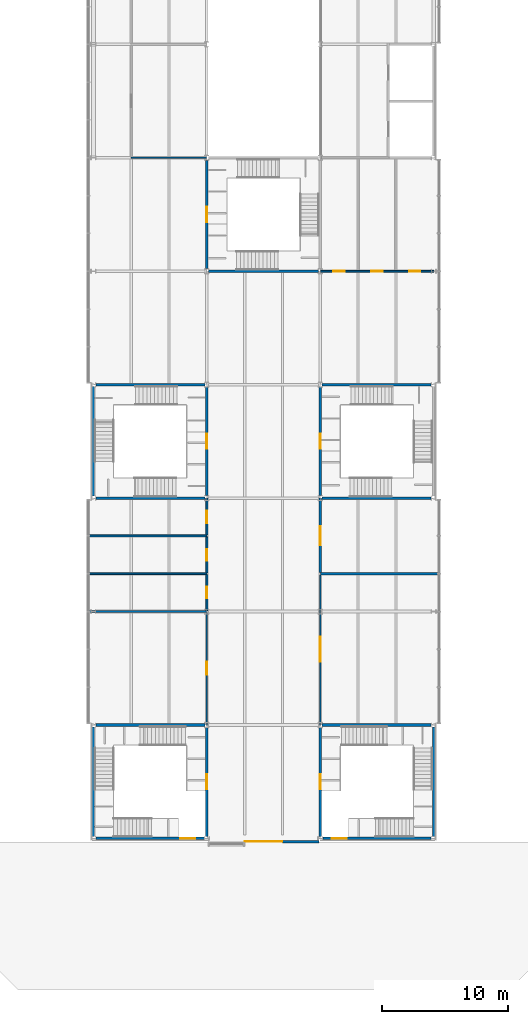
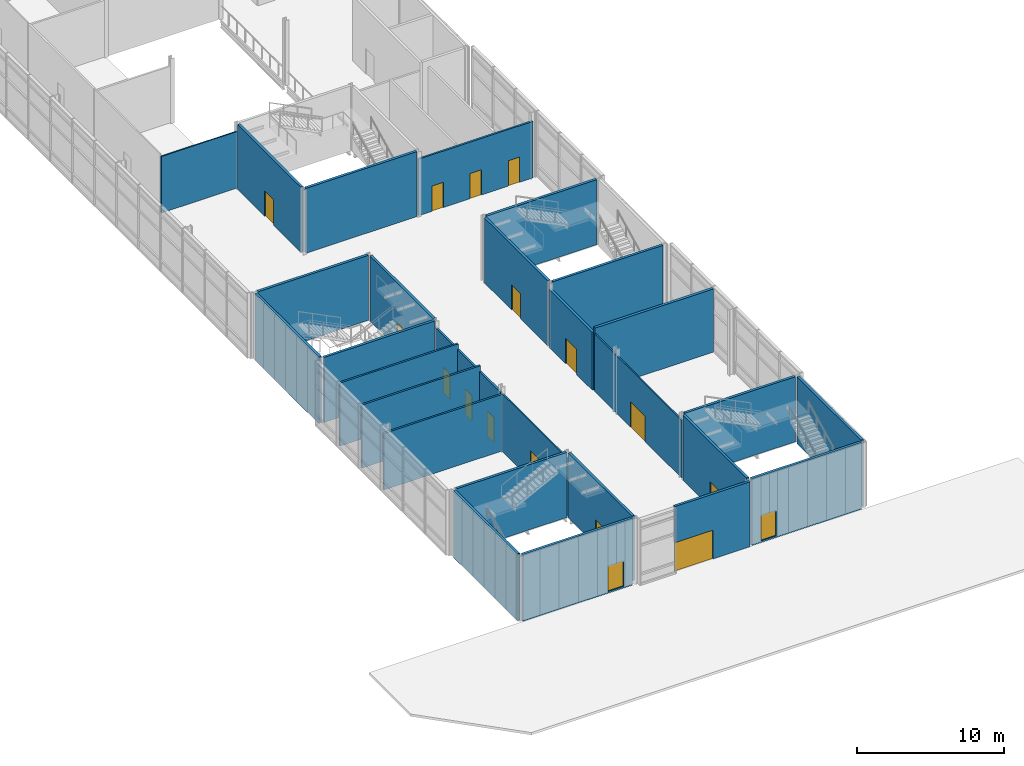
# One storey, part 37 of 56: 30 walls, 17 doors, 17 openings.
"""IFC4 building model written with IfcOpenShell, lengths in metres."""

import ifcopenshell
import ifcopenshell.guid

model = None  # the IFC model being written
_history = None  # IfcOwnerHistory: only IFC2X3 demands one
_inside = {}  # id of a spatial element -> (the spatial element, [elements in it])
_under = {}  # id of a project, library or spatial element -> (it, [spatial elements below it])
_declared = {}  # id of a project -> (the project, [libraries it declares])
_typed = {}  # id of a type object -> (the type object, [elements of that type])
_made_of = {}  # id of a material, layer set ... -> (it, [elements and type objects made of it])


def new_model(schema):
    """Start an empty IFC model of exactly this schema.

    Asked for "IFC4X3", IfcOpenShell would pick the latest addendum, in which some entities
    have other attributes; the version numbers below select the first issue.
    IFC2X3 requires an IfcOwnerHistory on every rooted entity: one is made here for all.
    """
    global model, _history
    if schema == "IFC4X3":
        model = ifcopenshell.file(schema_version=(4, 3, 0, 0))
    else:
        model = ifcopenshell.file(schema=schema)
    _inside.clear()
    _under.clear()
    _declared.clear()
    _typed.clear()
    _made_of.clear()
    _history = None
    if model.schema == "IFC2X3":
        org = make("IfcOrganization", Name="unknown")
        user = make(
            "IfcPersonAndOrganization",
            ThePerson=make("IfcPerson", FamilyName="unknown"),
            TheOrganization=org,
        )
        app = make(
            "IfcApplication",
            ApplicationDeveloper=org,
            Version="unknown",
            ApplicationFullName="unknown",
            ApplicationIdentifier="unknown",
        )
        _history = make(
            "IfcOwnerHistory",
            OwningUser=user,
            OwningApplication=app,
            ChangeAction="ADDED",
            CreationDate=0,
        )
    return model


def make(cls, **values):
    """One entity of the class cls with the attributes given. An attribute that is None is left unset."""
    return model.create_entity(
        cls, **{name: value for name, value in values.items() if value is not None}
    )


def rooted(cls, **values):
    """An entity with a GlobalId (a new one), such as an element, a storey or a relation."""
    return make(cls, GlobalId=ifcopenshell.guid.new(), OwnerHistory=_history, **values)


def si_unit(unit_type, name, prefix=None):
    """IfcSIUnit, for example si_unit("LENGTHUNIT", "METRE", prefix="MILLI")."""
    return make("IfcSIUnit", UnitType=unit_type, Prefix=prefix, Name=name)


def assignment(units):
    """IfcUnitAssignment: the units of a project."""
    return None if units is None else make("IfcUnitAssignment", Units=units)


def point(xyz):
    """IfcCartesianPoint."""
    return None if xyz is None else make("IfcCartesianPoint", Coordinates=xyz)


def direction(xyz):
    """IfcDirection."""
    return None if xyz is None else make("IfcDirection", DirectionRatios=xyz)


def frame(location, z_axis=None, x_axis=None):
    """IfcAxis2Placement3D, a coordinate frame: its origin and axes. An axis left out is left unset."""
    return make(
        "IfcAxis2Placement3D",
        Location=point(location),
        Axis=direction(z_axis),
        RefDirection=direction(x_axis),
    )


def frame_2d(location, x_axis=None):
    """IfcAxis2Placement2D, a coordinate frame in the plane: its origin and x axis."""
    return make(
        "IfcAxis2Placement2D", Location=point(location), RefDirection=direction(x_axis)
    )


def origin():
    """The frame at (0, 0, 0) with its axes left unset."""
    return frame((0.0, 0.0, 0.0))


def place(relative_to, where):
    """IfcLocalPlacement: puts the frame where relative to a parent placement (None: the world)."""
    return make(
        "IfcLocalPlacement", PlacementRelTo=relative_to, RelativePlacement=where
    )


def context(
    kind, dimensions, precision=None, world=None, true_north=None, identifier=None
):
    """IfcGeometricRepresentationContext, for example the 3D "Model" context."""
    return make(
        "IfcGeometricRepresentationContext",
        ContextIdentifier=identifier,
        ContextType=kind,
        CoordinateSpaceDimension=dimensions,
        Precision=precision,
        WorldCoordinateSystem=world,
        TrueNorth=true_north,
    )


def subcontext(parent, identifier, kind, view, scale=None):
    """IfcGeometricRepresentationSubContext, for example "Body" below "Model"."""
    return make(
        "IfcGeometricRepresentationSubContext",
        ContextIdentifier=identifier,
        ContextType=kind,
        ParentContext=parent,
        TargetScale=scale,
        TargetView=view,
    )


def project(units=None, contexts=None):
    """IfcProject with its units and contexts."""
    return rooted(
        "IfcProject",
        Name="project",
        RepresentationContexts=contexts,
        UnitsInContext=assignment(units),
    )


def spatial(cls, under=None, at=None, **own):
    """A site, building, storey or space (cls), placed at a placement, below another one or the project."""
    s = rooted(cls, ObjectPlacement=at, **own)
    if under is not None:
        _under.setdefault(under.id(), (under, []))[1].append(s)
    return s


def profile(cls, at=None, kind="AREA", **sizes):
    """A parametric profile (cls). Its sizes go by their IFC names, for example OverallWidth=200.0."""
    return make(cls, ProfileType=kind, Position=at, **sizes)


def rectangle(**sizes):
    """IfcRectangleProfileDef."""
    return profile("IfcRectangleProfileDef", **sizes)


def extrude(swept, where, along, depth):
    """IfcExtrudedAreaSolid: the profile swept, set in the frame where, extruded along a direction by depth."""
    return make(
        "IfcExtrudedAreaSolid",
        SweptArea=swept,
        Position=where,
        ExtrudedDirection=direction(along),
        Depth=depth,
    )


def shape(context_of_items, identifier, shape_type, items):
    """IfcShapeRepresentation: the items that make up one representation, for example the "Body"."""
    return make(
        "IfcShapeRepresentation",
        ContextOfItems=context_of_items,
        RepresentationIdentifier=identifier,
        RepresentationType=shape_type,
        Items=items,
    )


def material(Name=None, Category=None):
    """IfcMaterial."""
    return make("IfcMaterial", Name=Name, Category=Category)


def layer(
    of_material, thickness, ventilated=None, Name=None, Category=None, Priority=None
):
    """IfcMaterialLayer: one layer of a wall or slab, of a material (None: an air gap)."""
    return make(
        "IfcMaterialLayer",
        Material=of_material,
        LayerThickness=thickness,
        IsVentilated=ventilated,
        Name=Name,
        Category=Category,
        Priority=Priority,
    )


def layer_set(layers, Name=None):
    """IfcMaterialLayerSet."""
    return make("IfcMaterialLayerSet", MaterialLayers=layers, LayerSetName=Name)


def made_of(thing, what):
    """Note that an element or type object is made of a material, layer set ...; save() writes the relation."""
    if what is not None:
        _made_of.setdefault(what.id(), (what, []))[1].append(thing)
    return thing


def type_object(cls, material=None, **own):
    """A type object (cls), such as IfcWallType, which elements share."""
    return made_of(rooted(cls, **own), material)


def element(
    cls,
    number,
    at=None,
    inside=None,
    cuts=None,
    type_object=None,
    material=None,
    context=None,
    identifier="Body",
    shape_type=None,
    held_by="IfcProductDefinitionShape",
    body=None,
    shapes=None,
    **own,
):
    """One element of the class cls, such as IfcWall. Its Tag is "e" and its number.

    at: its placement. inside: the storey or other place that contains it. cuts: it is an
    opening in that element (IfcRelVoidsElement). A single representation is given by context,
    identifier, shape_type and body (its items); several are given by shapes. held_by: the class
    of the entity that holds the representations. save() writes the other relations.
    """
    e = rooted(cls, Tag="e%d" % number, ObjectPlacement=at, **own)
    if body is not None:
        shapes = [shape(context, identifier, shape_type, body)]
    if shapes is not None:
        e.Representation = make(held_by, Representations=shapes)
    if inside is not None:
        _inside.setdefault(inside.id(), (inside, []))[1].append(e)
    if cuts is not None:
        rooted(
            "IfcRelVoidsElement", RelatingBuildingElement=cuts, RelatedOpeningElement=e
        )
    if type_object is not None:
        _typed.setdefault(type_object.id(), (type_object, []))[1].append(e)
    return made_of(e, material)


def fill(opening, filler):
    """IfcRelFillsElement: the door or window that sits in an opening."""
    return rooted(
        "IfcRelFillsElement",
        RelatingOpeningElement=opening,
        RelatedBuildingElement=filler,
    )


def aggregate(whole, parts):
    """IfcRelAggregates: a whole, such as a stair, and the parts it consists of."""
    return rooted("IfcRelAggregates", RelatingObject=whole, RelatedObjects=parts)


def save(model, path):
    """Write the relations noted so far, then the file.

    IfcRelAggregates (storeys below a building ...), IfcRelContainedInSpatialStructure (elements
    in a storey), IfcRelDefinesByType, IfcRelAssociatesMaterial and IfcRelDeclares: one each for
    every whole, place, type object, material and project.
    """
    for whole, parts in _under.values():
        aggregate(whole, parts)
    for where, things in _inside.values():
        rooted(
            "IfcRelContainedInSpatialStructure",
            RelatedElements=things,
            RelatingStructure=where,
        )
    for kind, things in _typed.values():
        rooted("IfcRelDefinesByType", RelatedObjects=things, RelatingType=kind)
    for what, things in _made_of.values():
        rooted("IfcRelAssociatesMaterial", RelatedObjects=things, RelatingMaterial=what)
    for by, libraries in _declared.values():
        rooted("IfcRelDeclares", RelatingContext=by, RelatedDefinitions=libraries)
    model.write(path)


model = new_model("IFC4")

# Units and contexts
model_context = context("Model", 3, precision=1e-05, world=origin(), true_north=direction((0.0, 1.0)))
body_context = subcontext(model_context, "Body", "Model", "MODEL_VIEW")
ifc_project = project(units=[si_unit("LENGTHUNIT", "METRE"), si_unit("AREAUNIT", "SQUARE_METRE"), si_unit("VOLUMEUNIT", "CUBIC_METRE"), si_unit("PLANEANGLEUNIT", "RADIAN"), si_unit("MASSUNIT", "GRAM", prefix="KILO")], contexts=[model_context])

# Site, building, storey
site_placement = place(None, origin())
site = spatial("IfcSite", under=ifc_project, at=site_placement, CompositionType="ELEMENT")
building_placement = place(site_placement, origin())
building = spatial("IfcBuilding", under=site, at=building_placement, Name="Azimuth Sports and Learning Centre", CompositionType="ELEMENT")
storey_placement = place(building_placement, frame((0.0, 0.0, 5.39990234375)))
storey = spatial("IfcBuildingStorey", under=building, at=storey_placement, Name="L01", CompositionType="ELEMENT", Elevation=5.39990234375)

# Wall, opening, door
ifc_material_1 = material(Name="Insulated cladding wall")
ifc_layer_1 = layer(ifc_material_1, 0.199951171875)
ifc_layer_set_1 = layer_set([ifc_layer_1], Name="Insulated cladding wall")
wall_type_1 = type_object("IfcWallType", Name="Entrance wall 200", PredefinedType="SOLIDWALL", material=ifc_layer_set_1)
wall_1_placement = place(storey_placement, frame((84.0, -0.25, 0.0), z_axis=(0.0, 0.0, 1.0), x_axis=(1.0, 0.0, 0.0)))
wall_1 = element("IfcWall", 1, at=wall_1_placement, inside=storey, type_object=wall_type_1, Name="Entrance wall S-STEM-1 L01", PredefinedType="SOLIDWALL", context=body_context, shape_type="SweptSolid", body=[
    extrude(rectangle(XDim=5.89990234375, YDim=0.199951171875, at=frame_2d((2.949951171875, 0.0))), origin(), (0.0, 0.0, 1.0), 5.400146484375),
])
opening_1_placement = place(wall_1_placement, origin())
opening_1 = element("IfcOpeningElement", 2, at=opening_1_placement, cuts=wall_1, Name="Opening D01-001", PredefinedType="OPENING", context=body_context, shape_type="SweptSolid", body=[
    extrude(rectangle(XDim=3.0, YDim=2.39990234375, at=frame_2d((1.5, 1.199951171875))), frame((0.0, 0.11083984375, 0.0), z_axis=(0.0, -1.0, 0.0), x_axis=(1.0, 0.0, 0.0)), (0.0, 0.0, 1.0), 0.221923828125),
])
ifc_material_2 = material(Name="Aluminium and glass", Category="aluminium")
door_type_1 = type_object("IfcDoorType", Name="Exterior door double leaf 3000x2400", OperationType="DOUBLE_DOOR_DOUBLE_SWING", PredefinedType="DOOR", material=ifc_material_2)
door_1_placement = place(opening_1_placement, frame((3.0, 0.0, 0.0), z_axis=(0.0, 0.0, 1.0), x_axis=(-1.0, 0.0, 0.0)))
door_1 = element("IfcDoor", 3, at=door_1_placement, inside=storey, type_object=door_type_1, Name="Exterior door D01-001", OperationType="DOUBLE_DOOR_DOUBLE_SWING", OverallHeight=2.39990234375, OverallWidth=3.0, PredefinedType="DOOR", context=body_context, shape_type="SweptSolid", body=[
    extrude(rectangle(XDim=3.0, YDim=2.39990234375, at=frame_2d((1.5, 1.199951171875))), frame((0.0, 0.02490234375, 0.0), z_axis=(0.0, -1.0, 0.0), x_axis=(1.0, 0.0, 0.0)), (0.0, 0.0, 1.0), 0.050048828125),
])
fill(opening_1, door_1)

# Wall
ifc_material_3 = material(Name="Gypsum board on steel studs", Category="steel")
ifc_layer_2 = layer(ifc_material_3, 0.10009765625)
ifc_layer_set_2 = layer_set([ifc_layer_2], Name="Gypsum board on steel studs")
wall_type_2 = type_object("IfcWallType", Name="Partition 100 EI 30", PredefinedType="PARTITIONING", material=ifc_layer_set_2)
wall_2_placement = place(storey_placement, frame((75.0, 54.0, 0.0), z_axis=(0.0, 0.0, 1.0), x_axis=(1.0, 0.0, 0.0)))
element("IfcWall", 4, at=wall_2_placement, inside=storey, type_object=wall_type_2, Name="Partition 100 EI 30", PredefinedType="PARTITIONING", context=body_context, shape_type="SweptSolid", body=[
    extrude(rectangle(XDim=6.0, YDim=0.10009765625, at=frame_2d((3.0, 0.0))), origin(), (0.0, 0.0, 1.0), 4.7001953125),
])

# Wall, opening, door
wall_3_placement = place(storey_placement, frame((81.0, 9.0, 0.0), z_axis=(0.0, 0.0, 1.0), x_axis=(0.0, 1.0, 0.0)))
wall_3 = element("IfcWall", 5, at=wall_3_placement, inside=storey, type_object=wall_type_2, Name="Partition 100 EI 30", PredefinedType="PARTITIONING", context=body_context, shape_type="SweptSolid", body=[
    extrude(rectangle(XDim=8.925048828125, YDim=0.10009765625, at=frame_2d((4.46240234375, 0.0))), origin(), (0.0, 0.0, 1.0), 4.800048828125),
])
opening_2_placement = place(wall_3_placement, frame((4.0, 0.0, 0.0)))
opening_2 = element("IfcOpeningElement", 6, at=opening_2_placement, cuts=wall_3, Name="Opening D01-055", PredefinedType="OPENING", context=body_context, shape_type="SweptSolid", body=[
    extrude(rectangle(XDim=1.0, YDim=2.39990234375, at=frame_2d((0.5, 1.199951171875))), frame((0.0, 0.06103515625, 0.0), z_axis=(0.0, -1.0, 0.0), x_axis=(1.0, 0.0, 0.0)), (0.0, 0.0, 1.0), 0.1220703125),
])
ifc_material_4 = material(Name="Timber fire door set", Category="wood")
door_type_2 = type_object("IfcDoorType", Name="Timber door single 1000x2400 FD30S", OperationType="NOTDEFINED", PredefinedType="DOOR", material=ifc_material_4)
door_2_placement = place(opening_2_placement, origin())
door_2 = element("IfcDoor", 7, at=door_2_placement, inside=storey, type_object=door_type_2, Name="Door D01-055", OperationType="SINGLE_SWING_RIGHT", OverallHeight=2.39990234375, OverallWidth=1.0, PredefinedType="DOOR", context=body_context, shape_type="SweptSolid", body=[
    extrude(rectangle(XDim=1.0, YDim=2.39990234375, at=frame_2d((0.5, 1.199951171875))), frame((0.0, 0.02490234375, 0.0), z_axis=(0.0, -1.0, 0.0), x_axis=(1.0, 0.0, 0.0)), (0.0, 0.0, 1.0), 0.050048828125),
])
fill(opening_2, door_2)

wall_4_placement = place(storey_placement, frame((90.0, 9.0, 0.0), z_axis=(0.0, 0.0, 1.0), x_axis=(0.0, 1.0, 0.0)))
wall_4 = element("IfcWall", 8, at=wall_4_placement, inside=storey, type_object=wall_type_2, Name="Partition 100 EI 30", PredefinedType="PARTITIONING", context=body_context, shape_type="SweptSolid", body=[
    extrude(rectangle(XDim=11.892578125, YDim=0.10009765625, at=frame_2d((5.9462890625, 0.0))), origin(), (0.0, 0.0, 1.0), 4.800048828125),
])
opening_3_placement = place(wall_4_placement, frame((5.0, 0.0, 0.0)))
opening_3 = element("IfcOpeningElement", 9, at=opening_3_placement, cuts=wall_4, Name="Opening D01-056", PredefinedType="OPENING", context=body_context, shape_type="SweptSolid", body=[
    extrude(rectangle(XDim=2.0, YDim=2.10009765625, at=frame_2d((1.0, 1.050048828125))), frame((0.0, 0.06103515625, 0.0), z_axis=(0.0, -1.0, 0.0), x_axis=(1.0, 0.0, 0.0)), (0.0, 0.0, 1.0), 0.1220703125),
])
ifc_material_5 = material(Name="Timber fire door set", Category="wood")
door_type_3 = type_object("IfcDoorType", Name="Timber door double 2000x2100 FD30S", OperationType="DOUBLE_DOOR_SINGLE_SWING", PredefinedType="DOOR", material=ifc_material_5)
door_3_placement = place(opening_3_placement, frame((2.0, 0.0, 0.0), z_axis=(0.0, 0.0, 1.0), x_axis=(-1.0, 0.0, 0.0)))
door_3 = element("IfcDoor", 10, at=door_3_placement, inside=storey, type_object=door_type_3, Name="Door D01-056", OperationType="DOUBLE_DOOR_SINGLE_SWING", OverallHeight=2.10009765625, OverallWidth=2.0, PredefinedType="DOOR", context=body_context, shape_type="SweptSolid", body=[
    extrude(rectangle(XDim=2.0, YDim=2.10009765625, at=frame_2d((1.0, 1.050048828125))), frame((0.0, 0.02490234375, 0.0), z_axis=(0.0, -1.0, 0.0), x_axis=(1.0, 0.0, 0.0)), (0.0, 0.0, 1.0), 0.050048828125),
])
fill(opening_3, door_3)

# Walls
ifc_material_6 = material(Name="Lightweight blockwork, rendered", Category="masonry")
ifc_layer_3 = layer(ifc_material_6, 0.14990234375)
ifc_layer_set_3 = layer_set([ifc_layer_3], Name="Lightweight blockwork, rendered")
wall_type_3 = type_object("IfcWallType", Name="Partition 150 EI 60", PredefinedType="PARTITIONING", material=ifc_layer_set_3)
wall_5_placement = place(storey_placement, frame((71.699951171875, 18.0, 0.0), z_axis=(0.0, 0.0, 1.0), x_axis=(1.0, 0.0, 0.0)))
element("IfcWall", 11, at=wall_5_placement, inside=storey, type_object=wall_type_3, Name="Partition 150 EI 60", PredefinedType="PARTITIONING", context=body_context, shape_type="SweptSolid", body=[
    extrude(rectangle(XDim=9.300048828125, YDim=0.14990234375, at=frame_2d((4.64990234375, 0.0))), origin(), (0.0, 0.0, 1.0), 4.7001953125),
])
for number, where, z_axis, x_axis, name in (
    (12, (71.699951171875, 21.0, 0.0), (0.0, 0.0, 1.0), (1.0, 0.0, 0.0), "Partition 150 EI 60"),
    (13, (71.699951171875, 24.0, 0.0), (0.0, 0.0, 1.0), (1.0, 0.0, 0.0), "Partition 150 EI 60"),
):
    element("IfcWall", number, at=place(storey_placement, frame(where, z_axis=z_axis, x_axis=x_axis)), inside=storey, type_object=wall_type_3, Name=name, PredefinedType="PARTITIONING", context=body_context, shape_type="SweptSolid", body=[
        extrude(rectangle(XDim=9.300048828125, YDim=0.14990234375, at=frame_2d((4.64990234375, 0.0))), origin(), (0.0, 0.0, 1.0), 5.25),
    ])

# Wall, openings, doors
wall_6_placement = place(storey_placement, frame((90.0, 45.0, 0.0), z_axis=(0.0, 0.0, 1.0), x_axis=(1.0, 0.0, 0.0)))
wall_6 = element("IfcWall", 14, at=wall_6_placement, inside=storey, type_object=wall_type_3, Name="Partition 150 EI 60", PredefinedType="PARTITIONING", context=body_context, shape_type="SweptSolid", body=[
    extrude(rectangle(XDim=9.0, YDim=0.14990234375, at=frame_2d((4.5, 0.0))), origin(), (0.0, 0.0, 1.0), 4.7001953125),
])
opening_4_placement = place(wall_6_placement, frame((1.050048828125, 0.0, 0.0)))
opening_4 = element("IfcOpeningElement", 15, at=opening_4_placement, cuts=wall_6, Name="Opening D01-058", PredefinedType="OPENING", context=body_context, shape_type="SweptSolid", body=[
    extrude(rectangle(XDim=0.89990234375, YDim=2.10009765625, at=frame_2d((0.449951171875, 1.050048828125))), frame((0.0, 0.0859375, 0.0), z_axis=(0.0, -1.0, 0.0), x_axis=(1.0, 0.0, 0.0)), (0.0, 0.0, 1.0), 0.171875),
])
opening_5_placement = place(wall_6_placement, frame((4.050048828125, 0.0, 0.0)))
opening_5 = element("IfcOpeningElement", 16, at=opening_5_placement, cuts=wall_6, Name="Opening D01-059", PredefinedType="OPENING", context=body_context, shape_type="SweptSolid", body=[
    extrude(rectangle(XDim=0.89990234375, YDim=2.10009765625, at=frame_2d((0.449951171875, 1.050048828125))), frame((0.0, 0.0859375, 0.0), z_axis=(0.0, -1.0, 0.0), x_axis=(1.0, 0.0, 0.0)), (0.0, 0.0, 1.0), 0.171875),
])
opening_6_placement = place(wall_6_placement, frame((7.050048828125, 0.0, 0.0)))
opening_6 = element("IfcOpeningElement", 17, at=opening_6_placement, cuts=wall_6, Name="Opening D01-060", PredefinedType="OPENING", context=body_context, shape_type="SweptSolid", body=[
    extrude(rectangle(XDim=0.89990234375, YDim=2.10009765625, at=frame_2d((0.449951171875, 1.050048828125))), frame((0.0, 0.0859375, 0.0), z_axis=(0.0, -1.0, 0.0), x_axis=(1.0, 0.0, 0.0)), (0.0, 0.0, 1.0), 0.171875),
])
ifc_material_7 = material(Name="Timber fire door set", Category="wood")
door_type_4 = type_object("IfcDoorType", Name="Timber door single 900x2100 FD60", OperationType="NOTDEFINED", PredefinedType="DOOR", material=ifc_material_7)
door_4_placement = place(opening_4_placement, origin())
door_4 = element("IfcDoor", 18, at=door_4_placement, inside=storey, type_object=door_type_4, Name="Door D01-058", OperationType="SINGLE_SWING_RIGHT", OverallHeight=2.10009765625, OverallWidth=0.89990234375, PredefinedType="DOOR", context=body_context, shape_type="SweptSolid", body=[
    extrude(rectangle(XDim=0.89990234375, YDim=2.10009765625, at=frame_2d((0.449951171875, 1.050048828125))), frame((0.0, 0.02490234375, 0.0), z_axis=(0.0, -1.0, 0.0), x_axis=(1.0, 0.0, 0.0)), (0.0, 0.0, 1.0), 0.050048828125),
])
fill(opening_4, door_4)
door_5_placement = place(opening_5_placement, origin())
door_5 = element("IfcDoor", 19, at=door_5_placement, inside=storey, type_object=door_type_4, Name="Door D01-059", OperationType="SINGLE_SWING_LEFT", OverallHeight=2.10009765625, OverallWidth=0.89990234375, PredefinedType="DOOR", context=body_context, shape_type="SweptSolid", body=[
    extrude(rectangle(XDim=0.89990234375, YDim=2.10009765625, at=frame_2d((0.449951171875, 1.050048828125))), frame((0.0, 0.02490234375, 0.0), z_axis=(0.0, -1.0, 0.0), x_axis=(1.0, 0.0, 0.0)), (0.0, 0.0, 1.0), 0.050048828125),
])
fill(opening_5, door_5)
door_6_placement = place(opening_6_placement, origin())
door_6 = element("IfcDoor", 20, at=door_6_placement, inside=storey, type_object=door_type_4, Name="Door D01-060", OperationType="SINGLE_SWING_LEFT", OverallHeight=2.10009765625, OverallWidth=0.89990234375, PredefinedType="DOOR", context=body_context, shape_type="SweptSolid", body=[
    extrude(rectangle(XDim=0.89990234375, YDim=2.10009765625, at=frame_2d((0.449951171875, 1.050048828125))), frame((0.0, 0.02490234375, 0.0), z_axis=(0.0, -1.0, 0.0), x_axis=(1.0, 0.0, 0.0)), (0.0, 0.0, 1.0), 0.050048828125),
])
fill(opening_6, door_6)

# Wall, opening, door
wall_7_placement = place(storey_placement, frame((81.0, 18.074951171875, 0.0), z_axis=(0.0, 0.0, 1.0), x_axis=(0.0, 1.0, 0.0)))
wall_7 = element("IfcWall", 21, at=wall_7_placement, inside=storey, type_object=wall_type_3, Name="Partition 150 EI 60", PredefinedType="PARTITIONING", context=body_context, shape_type="SweptSolid", body=[
    extrude(rectangle(XDim=2.85009765625, YDim=0.14990234375, at=frame_2d((1.425048828125, 0.0))), origin(), (0.0, 0.0, 1.0), 4.800048828125),
])
opening_7_placement = place(wall_7_placement, frame((0.97509765625, 0.0, 0.0)))
opening_7 = element("IfcOpeningElement", 22, at=opening_7_placement, cuts=wall_7, Name="Opening D01-068", PredefinedType="OPENING", context=body_context, shape_type="SweptSolid", body=[
    extrude(rectangle(XDim=0.89990234375, YDim=2.10009765625, at=frame_2d((0.449951171875, 1.050048828125))), frame((0.0, 0.0859375, 0.0), z_axis=(0.0, -1.0, 0.0), x_axis=(1.0, 0.0, 0.0)), (0.0, 0.0, 1.0), 0.171875),
])
door_7_placement = place(opening_7_placement, origin())
door_7 = element("IfcDoor", 23, at=door_7_placement, inside=storey, type_object=door_type_4, Name="Door D01-068", OperationType="SINGLE_SWING_LEFT", OverallHeight=2.10009765625, OverallWidth=0.89990234375, PredefinedType="DOOR", context=body_context, shape_type="SweptSolid", body=[
    extrude(rectangle(XDim=0.89990234375, YDim=2.10009765625, at=frame_2d((0.449951171875, 1.050048828125))), frame((0.0, 0.02490234375, 0.0), z_axis=(0.0, -1.0, 0.0), x_axis=(1.0, 0.0, 0.0)), (0.0, 0.0, 1.0), 0.050048828125),
])
fill(opening_7, door_7)

wall_8_placement = place(storey_placement, frame((81.0, 21.074951171875, 0.0), z_axis=(0.0, 0.0, 1.0), x_axis=(0.0, 1.0, 0.0)))
wall_8 = element("IfcWall", 24, at=wall_8_placement, inside=storey, type_object=wall_type_3, Name="Partition 150 EI 60", PredefinedType="PARTITIONING", context=body_context, shape_type="SweptSolid", body=[
    extrude(rectangle(XDim=2.85009765625, YDim=0.14990234375, at=frame_2d((1.425048828125, 0.0))), origin(), (0.0, 0.0, 1.0), 4.800048828125),
])
opening_8_placement = place(wall_8_placement, frame((0.97509765625, 0.0, 0.0)))
opening_8 = element("IfcOpeningElement", 25, at=opening_8_placement, cuts=wall_8, Name="Opening D01-069", PredefinedType="OPENING", context=body_context, shape_type="SweptSolid", body=[
    extrude(rectangle(XDim=0.89990234375, YDim=2.10009765625, at=frame_2d((0.449951171875, 1.050048828125))), frame((0.0, 0.0859375, 0.0), z_axis=(0.0, -1.0, 0.0), x_axis=(1.0, 0.0, 0.0)), (0.0, 0.0, 1.0), 0.171875),
])
door_8_placement = place(opening_8_placement, origin())
door_8 = element("IfcDoor", 26, at=door_8_placement, inside=storey, type_object=door_type_4, Name="Door D01-069", OperationType="SINGLE_SWING_LEFT", OverallHeight=2.10009765625, OverallWidth=0.89990234375, PredefinedType="DOOR", context=body_context, shape_type="SweptSolid", body=[
    extrude(rectangle(XDim=0.89990234375, YDim=2.10009765625, at=frame_2d((0.449951171875, 1.050048828125))), frame((0.0, 0.02490234375, 0.0), z_axis=(0.0, -1.0, 0.0), x_axis=(1.0, 0.0, 0.0)), (0.0, 0.0, 1.0), 0.050048828125),
])
fill(opening_8, door_8)

wall_9_placement = place(storey_placement, frame((81.0, 24.074951171875, 0.0), z_axis=(0.0, 0.0, 1.0), x_axis=(0.0, 1.0, 0.0)))
wall_9 = element("IfcWall", 27, at=wall_9_placement, inside=storey, type_object=wall_type_3, Name="Partition 150 EI 60", PredefinedType="PARTITIONING", context=body_context, shape_type="SweptSolid", body=[
    extrude(rectangle(XDim=2.925048828125, YDim=0.14990234375, at=frame_2d((1.46240234375, 0.0))), origin(), (0.0, 0.0, 1.0), 4.800048828125),
])
opening_9_placement = place(wall_9_placement, frame((0.925048828125, 0.0, 0.0)))
opening_9 = element("IfcOpeningElement", 28, at=opening_9_placement, cuts=wall_9, Name="Opening D01-070", PredefinedType="OPENING", context=body_context, shape_type="SweptSolid", body=[
    extrude(rectangle(XDim=1.0, YDim=2.10009765625, at=frame_2d((0.5, 1.050048828125))), frame((0.0, 0.0859375, 0.0), z_axis=(0.0, -1.0, 0.0), x_axis=(1.0, 0.0, 0.0)), (0.0, 0.0, 1.0), 0.171875),
])
ifc_material_8 = material(Name="Timber fire door set", Category="wood")
door_type_5 = type_object("IfcDoorType", Name="Timber door single 1000x2100 FD60", OperationType="NOTDEFINED", PredefinedType="DOOR", material=ifc_material_8)
door_9_placement = place(opening_9_placement, origin())
door_9 = element("IfcDoor", 29, at=door_9_placement, inside=storey, type_object=door_type_5, Name="Door D01-070", OperationType="SINGLE_SWING_LEFT", OverallHeight=2.10009765625, OverallWidth=1.0, PredefinedType="DOOR", context=body_context, shape_type="SweptSolid", body=[
    extrude(rectangle(XDim=1.0, YDim=2.10009765625, at=frame_2d((0.5, 1.050048828125))), frame((0.0, 0.02490234375, 0.0), z_axis=(0.0, -1.0, 0.0), x_axis=(1.0, 0.0, 0.0)), (0.0, 0.0, 1.0), 0.050048828125),
])
fill(opening_9, door_9)

# Wall
ifc_material_9 = material(Name="Lightweight blockwork, rendered", Category="masonry")
ifc_layer_4 = layer(ifc_material_9, 0.215087890625)
ifc_layer_set_4 = layer_set([ifc_layer_4], Name="Lightweight blockwork, rendered")
wall_type_4 = type_object("IfcWallType", Name="Partition 215 EI 60", PredefinedType="PARTITIONING", material=ifc_layer_set_4)
wall_10_placement = place(storey_placement, frame((90.0, 21.0, 0.0), z_axis=(0.0, 0.0, 1.0), x_axis=(1.0, 0.0, 0.0)))
element("IfcWall", 30, at=wall_10_placement, inside=storey, type_object=wall_type_4, Name="Partition 215 EI 60", PredefinedType="PARTITIONING", context=body_context, shape_type="SweptSolid", body=[
    extrude(rectangle(XDim=9.300048828125, YDim=0.215087890625, at=frame_2d((4.64990234375, 0.0))), origin(), (0.0, 0.0, 1.0), 5.25),
])

# Wall, opening, door
wall_11_placement = place(storey_placement, frame((90.0, 21.107421875, 0.0), z_axis=(0.0, 0.0, 1.0), x_axis=(0.0, 1.0, 0.0)))
wall_11 = element("IfcWall", 31, at=wall_11_placement, inside=storey, type_object=wall_type_4, Name="Partition 215 EI 60", PredefinedType="PARTITIONING", context=body_context, shape_type="SweptSolid", body=[
    extrude(rectangle(XDim=5.892578125, YDim=0.215087890625, at=frame_2d((2.9462890625, 0.0))), origin(), (0.0, 0.0, 1.0), 4.800048828125),
])
opening_10_placement = place(wall_11_placement, frame((2.142578125, 0.0, 0.0)))
opening_10 = element("IfcOpeningElement", 32, at=opening_10_placement, cuts=wall_11, Name="Opening D01-057", PredefinedType="OPENING", context=body_context, shape_type="SweptSolid", body=[
    extrude(rectangle(XDim=1.5, YDim=2.10009765625, at=frame_2d((0.75, 1.050048828125))), frame((0.0, 0.11865234375, 0.0), z_axis=(0.0, -1.0, 0.0), x_axis=(1.0, 0.0, 0.0)), (0.0, 0.0, 1.0), 0.237060546875),
])
ifc_material_10 = material(Name="Timber fire door set", Category="wood")
door_type_6 = type_object("IfcDoorType", Name="Timber door double 1500x2100 FD60", OperationType="DOUBLE_DOOR_SINGLE_SWING", PredefinedType="DOOR", material=ifc_material_10)
door_10_placement = place(opening_10_placement, frame((1.5, 0.0, 0.0), z_axis=(0.0, 0.0, 1.0), x_axis=(-1.0, 0.0, 0.0)))
door_10 = element("IfcDoor", 33, at=door_10_placement, inside=storey, type_object=door_type_6, Name="Door D01-057", OperationType="DOUBLE_DOOR_SINGLE_SWING", OverallHeight=2.10009765625, OverallWidth=1.5, PredefinedType="DOOR", context=body_context, shape_type="SweptSolid", body=[
    extrude(rectangle(XDim=1.5, YDim=2.10009765625, at=frame_2d((0.75, 1.050048828125))), frame((0.0, 0.02490234375, 0.0), z_axis=(0.0, -1.0, 0.0), x_axis=(1.0, 0.0, 0.0)), (0.0, 0.0, 1.0), 0.050048828125),
])
fill(opening_10, door_10)

# Wall
ifc_material_11 = material(Name="Concrete C40/50", Category="concrete")
ifc_layer_5 = layer(ifc_material_11, 0.199951171875)
ifc_layer_set_5 = layer_set([ifc_layer_5], Name="Concrete C40/50")
wall_type_5 = type_object("IfcWallType", Name="RC cell wall 200 EI 120", PredefinedType="SHEAR", material=ifc_layer_set_5)
wall_12_placement = place(storey_placement, frame((72.199951171875, 9.0, 0.0), z_axis=(0.0, 0.0, 1.0), x_axis=(1.0, 0.0, 0.0)))
element("IfcWall", 34, at=wall_12_placement, inside=storey, type_object=wall_type_5, Name="CE-ST1-N-L01", PredefinedType="SHEAR", context=body_context, shape_type="SweptSolid", body=[
    extrude(rectangle(XDim=8.650146484375, YDim=0.199951171875, at=frame_2d((4.3251953125, 0.0))), origin(), (0.0, 0.0, 1.0), 5.400146484375),
])

# Wall, opening, door
wall_13_placement = place(storey_placement, frame((81.0, 0.14990234375, 0.0), z_axis=(0.0, 0.0, 1.0), x_axis=(0.0, 1.0, 0.0)))
wall_13 = element("IfcWall", 35, at=wall_13_placement, inside=storey, type_object=wall_type_5, Name="CE-ST1-E-L01", PredefinedType="SHEAR", context=body_context, shape_type="SweptSolid", body=[
    extrude(rectangle(XDim=8.650146484375, YDim=0.199951171875, at=frame_2d((4.3251953125, 0.0))), origin(), (0.0, 0.0, 1.0), 5.400146484375),
])
opening_11_placement = place(wall_13_placement, frame((3.75, 0.0, 0.0)))
opening_11 = element("IfcOpeningElement", 36, at=opening_11_placement, cuts=wall_13, Name="Opening D01-014", PredefinedType="OPENING", context=body_context, shape_type="SweptSolid", body=[
    extrude(rectangle(XDim=1.199951171875, YDim=2.10009765625, at=frame_2d((0.60009765625, 1.050048828125))), frame((0.0, 0.11083984375, 0.0), z_axis=(0.0, -1.0, 0.0), x_axis=(1.0, 0.0, 0.0)), (0.0, 0.0, 1.0), 0.221923828125),
])
ifc_material_12 = material(Name="Steel", Category="steel")
door_type_7 = type_object("IfcDoorType", Name="Stair fire door 1200 x 2100", OperationType="NOTDEFINED", PredefinedType="DOOR", material=ifc_material_12)
door_11_placement = place(opening_11_placement, frame((1.199951171875, 0.0, 0.0), z_axis=(0.0, 0.0, 1.0), x_axis=(-1.0, 0.0, 0.0)))
door_11 = element("IfcDoor", 37, at=door_11_placement, inside=storey, type_object=door_type_7, Name="Stair door ST1 L01", OperationType="SINGLE_SWING_LEFT", OverallHeight=2.10009765625, OverallWidth=1.199951171875, PredefinedType="DOOR", context=body_context, shape_type="SweptSolid", body=[
    extrude(rectangle(XDim=1.199951171875, YDim=2.10009765625, at=frame_2d((0.60009765625, 1.050048828125))), frame((0.0, 0.02490234375, 0.0), z_axis=(0.0, -1.0, 0.0), x_axis=(1.0, 0.0, 0.0)), (0.0, 0.0, 1.0), 0.050048828125),
])
fill(opening_11, door_11)

# Wall
wall_14_placement = place(storey_placement, frame((90.14990234375, 9.0, 0.0), z_axis=(0.0, 0.0, 1.0), x_axis=(1.0, 0.0, 0.0)))
element("IfcWall", 38, at=wall_14_placement, inside=storey, type_object=wall_type_5, Name="CE-ST2-N-L01", PredefinedType="SHEAR", context=body_context, shape_type="SweptSolid", body=[
    extrude(rectangle(XDim=8.650146484375, YDim=0.199951171875, at=frame_2d((4.3251953125, 0.0))), origin(), (0.0, 0.0, 1.0), 5.400146484375),
])

# Wall, opening, door
wall_15_placement = place(storey_placement, frame((90.0, 0.14990234375, 0.0), z_axis=(0.0, 0.0, 1.0), x_axis=(0.0, 1.0, 0.0)))
wall_15 = element("IfcWall", 39, at=wall_15_placement, inside=storey, type_object=wall_type_5, Name="CE-ST2-W-L01", PredefinedType="SHEAR", context=body_context, shape_type="SweptSolid", body=[
    extrude(rectangle(XDim=8.650146484375, YDim=0.199951171875, at=frame_2d((4.3251953125, 0.0))), origin(), (0.0, 0.0, 1.0), 5.400146484375),
])
opening_12_placement = place(wall_15_placement, frame((3.75, 0.0, 0.0)))
opening_12 = element("IfcOpeningElement", 40, at=opening_12_placement, cuts=wall_15, Name="Opening D01-016", PredefinedType="OPENING", context=body_context, shape_type="SweptSolid", body=[
    extrude(rectangle(XDim=1.199951171875, YDim=2.10009765625, at=frame_2d((0.60009765625, 1.050048828125))), frame((0.0, 0.11083984375, 0.0), z_axis=(0.0, -1.0, 0.0), x_axis=(1.0, 0.0, 0.0)), (0.0, 0.0, 1.0), 0.221923828125),
])
door_12_placement = place(opening_12_placement, origin())
door_12 = element("IfcDoor", 41, at=door_12_placement, inside=storey, type_object=door_type_7, Name="Stair door ST2 L01", OperationType="SINGLE_SWING_RIGHT", OverallHeight=2.10009765625, OverallWidth=1.199951171875, PredefinedType="DOOR", context=body_context, shape_type="SweptSolid", body=[
    extrude(rectangle(XDim=1.199951171875, YDim=2.10009765625, at=frame_2d((0.60009765625, 1.050048828125))), frame((0.0, 0.02490234375, 0.0), z_axis=(0.0, -1.0, 0.0), x_axis=(1.0, 0.0, 0.0)), (0.0, 0.0, 1.0), 0.050048828125),
])
fill(opening_12, door_12)

# Walls
for number, where, z_axis, x_axis, name in (
    (42, (72.199951171875, 27.0, 0.0), (0.0, 0.0, 1.0), (1.0, 0.0, 0.0), "CE-ST3-S-L01"),
    (43, (72.199951171875, 36.0, 0.0), (0.0, 0.0, 1.0), (1.0, 0.0, 0.0), "CE-ST3-N-L01"),
):
    element("IfcWall", number, at=place(storey_placement, frame(where, z_axis=z_axis, x_axis=x_axis)), inside=storey, type_object=wall_type_5, Name=name, PredefinedType="SHEAR", context=body_context, shape_type="SweptSolid", body=[
        extrude(rectangle(XDim=8.650146484375, YDim=0.199951171875, at=frame_2d((4.3251953125, 0.0))), origin(), (0.0, 0.0, 1.0), 5.400146484375),
    ])

# Wall, opening, door
wall_16_placement = place(storey_placement, frame((81.0, 27.199951171875, 0.0), z_axis=(0.0, 0.0, 1.0), x_axis=(0.0, 1.0, 0.0)))
wall_16 = element("IfcWall", 44, at=wall_16_placement, inside=storey, type_object=wall_type_5, Name="CE-ST3-E-L01", PredefinedType="SHEAR", context=body_context, shape_type="SweptSolid", body=[
    extrude(rectangle(XDim=8.60009765625, YDim=0.199951171875, at=frame_2d((4.300048828125, 0.0))), origin(), (0.0, 0.0, 1.0), 5.400146484375),
])
opening_13_placement = place(wall_16_placement, frame((3.699951171875, 0.0, 0.0)))
opening_13 = element("IfcOpeningElement", 45, at=opening_13_placement, cuts=wall_16, Name="Opening D01-018", PredefinedType="OPENING", context=body_context, shape_type="SweptSolid", body=[
    extrude(rectangle(XDim=1.199951171875, YDim=2.10009765625, at=frame_2d((0.60009765625, 1.050048828125))), frame((0.0, 0.11083984375, 0.0), z_axis=(0.0, -1.0, 0.0), x_axis=(1.0, 0.0, 0.0)), (0.0, 0.0, 1.0), 0.221923828125),
])
door_13_placement = place(opening_13_placement, frame((1.199951171875, 0.0, 0.0), z_axis=(0.0, 0.0, 1.0), x_axis=(-1.0, 0.0, 0.0)))
door_13 = element("IfcDoor", 46, at=door_13_placement, inside=storey, type_object=door_type_7, Name="Stair door ST3 L01", OperationType="SINGLE_SWING_LEFT", OverallHeight=2.10009765625, OverallWidth=1.199951171875, PredefinedType="DOOR", context=body_context, shape_type="SweptSolid", body=[
    extrude(rectangle(XDim=1.199951171875, YDim=2.10009765625, at=frame_2d((0.60009765625, 1.050048828125))), frame((0.0, 0.02490234375, 0.0), z_axis=(0.0, -1.0, 0.0), x_axis=(1.0, 0.0, 0.0)), (0.0, 0.0, 1.0), 0.050048828125),
])
fill(opening_13, door_13)

# Walls
for number, where, z_axis, x_axis, name in (
    (47, (90.14990234375, 27.0, 0.0), (0.0, 0.0, 1.0), (1.0, 0.0, 0.0), "CE-ST4-S-L01"),
    (48, (90.14990234375, 36.0, 0.0), (0.0, 0.0, 1.0), (1.0, 0.0, 0.0), "CE-ST4-N-L01"),
):
    element("IfcWall", number, at=place(storey_placement, frame(where, z_axis=z_axis, x_axis=x_axis)), inside=storey, type_object=wall_type_5, Name=name, PredefinedType="SHEAR", context=body_context, shape_type="SweptSolid", body=[
        extrude(rectangle(XDim=8.650146484375, YDim=0.199951171875, at=frame_2d((4.3251953125, 0.0))), origin(), (0.0, 0.0, 1.0), 5.400146484375),
    ])

# Wall, opening, door
wall_17_placement = place(storey_placement, frame((90.0, 27.199951171875, 0.0), z_axis=(0.0, 0.0, 1.0), x_axis=(0.0, 1.0, 0.0)))
wall_17 = element("IfcWall", 49, at=wall_17_placement, inside=storey, type_object=wall_type_5, Name="CE-ST4-W-L01", PredefinedType="SHEAR", context=body_context, shape_type="SweptSolid", body=[
    extrude(rectangle(XDim=8.60009765625, YDim=0.199951171875, at=frame_2d((4.300048828125, 0.0))), origin(), (0.0, 0.0, 1.0), 5.400146484375),
])
opening_14_placement = place(wall_17_placement, frame((3.699951171875, 0.0, 0.0)))
opening_14 = element("IfcOpeningElement", 50, at=opening_14_placement, cuts=wall_17, Name="Opening D01-019", PredefinedType="OPENING", context=body_context, shape_type="SweptSolid", body=[
    extrude(rectangle(XDim=1.199951171875, YDim=2.10009765625, at=frame_2d((0.60009765625, 1.050048828125))), frame((0.0, 0.11083984375, 0.0), z_axis=(0.0, -1.0, 0.0), x_axis=(1.0, 0.0, 0.0)), (0.0, 0.0, 1.0), 0.221923828125),
])
door_14_placement = place(opening_14_placement, origin())
door_14 = element("IfcDoor", 51, at=door_14_placement, inside=storey, type_object=door_type_7, Name="Stair door ST4 L01", OperationType="SINGLE_SWING_RIGHT", OverallHeight=2.10009765625, OverallWidth=1.199951171875, PredefinedType="DOOR", context=body_context, shape_type="SweptSolid", body=[
    extrude(rectangle(XDim=1.199951171875, YDim=2.10009765625, at=frame_2d((0.60009765625, 1.050048828125))), frame((0.0, 0.02490234375, 0.0), z_axis=(0.0, -1.0, 0.0), x_axis=(1.0, 0.0, 0.0)), (0.0, 0.0, 1.0), 0.050048828125),
])
fill(opening_14, door_14)

# Wall
wall_18_placement = place(storey_placement, frame((81.14990234375, 45.0, 0.0), z_axis=(0.0, 0.0, 1.0), x_axis=(1.0, 0.0, 0.0)))
element("IfcWall", 52, at=wall_18_placement, inside=storey, type_object=wall_type_5, Name="CE-STC-S-L01", PredefinedType="SHEAR", context=body_context, shape_type="SweptSolid", body=[
    extrude(rectangle(XDim=8.7001953125, YDim=0.199951171875, at=frame_2d((4.35009765625, 0.0))), origin(), (0.0, 0.0, 1.0), 5.400146484375),
])

# Wall, opening, door
wall_19_placement = place(storey_placement, frame((81.0, 45.199951171875, 0.0), z_axis=(0.0, 0.0, 1.0), x_axis=(0.0, 1.0, 0.0)))
wall_19 = element("IfcWall", 53, at=wall_19_placement, inside=storey, type_object=wall_type_5, Name="CE-STC-W-L01", PredefinedType="SHEAR", context=body_context, shape_type="SweptSolid", body=[
    extrude(rectangle(XDim=8.60009765625, YDim=0.199951171875, at=frame_2d((4.300048828125, 0.0))), origin(), (0.0, 0.0, 1.0), 5.400146484375),
])
opening_15_placement = place(wall_19_placement, frame((3.699951171875, 0.0, 0.0)))
opening_15 = element("IfcOpeningElement", 54, at=opening_15_placement, cuts=wall_19, Name="Opening D01-020", PredefinedType="OPENING", context=body_context, shape_type="SweptSolid", body=[
    extrude(rectangle(XDim=1.199951171875, YDim=2.10009765625, at=frame_2d((0.60009765625, 1.050048828125))), frame((0.0, 0.11083984375, 0.0), z_axis=(0.0, -1.0, 0.0), x_axis=(1.0, 0.0, 0.0)), (0.0, 0.0, 1.0), 0.221923828125),
])
door_15_placement = place(opening_15_placement, origin())
door_15 = element("IfcDoor", 55, at=door_15_placement, inside=storey, type_object=door_type_7, Name="Stair door STC L01", OperationType="SINGLE_SWING_RIGHT", OverallHeight=2.10009765625, OverallWidth=1.199951171875, PredefinedType="DOOR", context=body_context, shape_type="SweptSolid", body=[
    extrude(rectangle(XDim=1.199951171875, YDim=2.10009765625, at=frame_2d((0.60009765625, 1.050048828125))), frame((0.0, 0.02490234375, 0.0), z_axis=(0.0, -1.0, 0.0), x_axis=(1.0, 0.0, 0.0)), (0.0, 0.0, 1.0), 0.050048828125),
])
fill(opening_15, door_15)

ifc_material_13 = material(Name="Concrete C40/50", Category="concrete")
ifc_layer_6 = layer(ifc_material_13, 0.199951171875)
ifc_layer_set_6 = layer_set([ifc_layer_6], Name="Concrete C40/50")
wall_type_6 = type_object("IfcWallType", Name="RC external cell wall 200 EI 120", PredefinedType="SHEAR", material=ifc_layer_set_6)
wall_20_placement = place(storey_placement, frame((72.199951171875, 0.0, -0.14990234375), z_axis=(0.0, 0.0, 1.0), x_axis=(1.0, 0.0, 0.0)))
wall_20 = element("IfcWall", 56, at=wall_20_placement, inside=storey, type_object=wall_type_6, Name="CE-ST1-S-L01", PredefinedType="SHEAR", context=body_context, shape_type="SweptSolid", body=[
    extrude(rectangle(XDim=8.60009765625, YDim=0.199951171875, at=frame_2d((4.300048828125, 0.0))), origin(), (0.0, 0.0, 1.0), 5.550048828125),
])
opening_16_placement = place(wall_20_placement, frame((6.699951171875, 0.0, 0.14990234375)))
opening_16 = element("IfcOpeningElement", 57, at=opening_16_placement, cuts=wall_20, Name="Opening D01-015", PredefinedType="OPENING", context=body_context, shape_type="SweptSolid", body=[
    extrude(rectangle(XDim=1.199951171875, YDim=2.10009765625, at=frame_2d((0.60009765625, 1.050048828125))), frame((0.0, 0.11083984375, 0.0), z_axis=(0.0, -1.0, 0.0), x_axis=(1.0, 0.0, 0.0)), (0.0, 0.0, 1.0), 0.221923828125),
])
door_16_placement = place(opening_16_placement, frame((1.199951171875, 0.0, 0.0), z_axis=(0.0, 0.0, 1.0), x_axis=(-1.0, 0.0, 0.0)))
door_16 = element("IfcDoor", 58, at=door_16_placement, inside=storey, type_object=door_type_7, Name="Stair door ST1 L01 exit", OperationType="SINGLE_SWING_LEFT", OverallHeight=2.10009765625, OverallWidth=1.199951171875, PredefinedType="DOOR", context=body_context, shape_type="SweptSolid", body=[
    extrude(rectangle(XDim=1.199951171875, YDim=2.10009765625, at=frame_2d((0.60009765625, 1.050048828125))), frame((0.0, 0.02490234375, 0.0), z_axis=(0.0, -1.0, 0.0), x_axis=(1.0, 0.0, 0.0)), (0.0, 0.0, 1.0), 0.050048828125),
])
fill(opening_16, door_16)

# Wall
wall_21_placement = place(storey_placement, frame((72.0, 0.14990234375, -0.14990234375), z_axis=(0.0, 0.0, 1.0), x_axis=(0.0, 1.0, 0.0)))
element("IfcWall", 59, at=wall_21_placement, inside=storey, type_object=wall_type_6, Name="CE-ST1-W-L01", PredefinedType="SHEAR", context=body_context, shape_type="SweptSolid", body=[
    extrude(rectangle(XDim=8.7001953125, YDim=0.199951171875, at=frame_2d((4.35009765625, 0.0))), origin(), (0.0, 0.0, 1.0), 5.550048828125),
])

# Wall, opening, door
wall_22_placement = place(storey_placement, frame((90.199951171875, 0.0, -0.14990234375), z_axis=(0.0, 0.0, 1.0), x_axis=(1.0, 0.0, 0.0)))
wall_22 = element("IfcWall", 60, at=wall_22_placement, inside=storey, type_object=wall_type_6, Name="CE-ST2-S-L01", PredefinedType="SHEAR", context=body_context, shape_type="SweptSolid", body=[
    extrude(rectangle(XDim=8.60009765625, YDim=0.199951171875, at=frame_2d((4.300048828125, 0.0))), origin(), (0.0, 0.0, 1.0), 5.550048828125),
])
opening_17_placement = place(wall_22_placement, frame((0.699951171875, 0.0, 0.14990234375)))
opening_17 = element("IfcOpeningElement", 61, at=opening_17_placement, cuts=wall_22, Name="Opening D01-017", PredefinedType="OPENING", context=body_context, shape_type="SweptSolid", body=[
    extrude(rectangle(XDim=1.199951171875, YDim=2.10009765625, at=frame_2d((0.60009765625, 1.050048828125))), frame((0.0, 0.11083984375, 0.0), z_axis=(0.0, -1.0, 0.0), x_axis=(1.0, 0.0, 0.0)), (0.0, 0.0, 1.0), 0.221923828125),
])
door_17_placement = place(opening_17_placement, frame((1.199951171875, 0.0, 0.0), z_axis=(0.0, 0.0, 1.0), x_axis=(-1.0, 0.0, 0.0)))
door_17 = element("IfcDoor", 62, at=door_17_placement, inside=storey, type_object=door_type_7, Name="Stair door ST2 L01 exit", OperationType="SINGLE_SWING_RIGHT", OverallHeight=2.10009765625, OverallWidth=1.199951171875, PredefinedType="DOOR", context=body_context, shape_type="SweptSolid", body=[
    extrude(rectangle(XDim=1.199951171875, YDim=2.10009765625, at=frame_2d((0.60009765625, 1.050048828125))), frame((0.0, 0.02490234375, 0.0), z_axis=(0.0, -1.0, 0.0), x_axis=(1.0, 0.0, 0.0)), (0.0, 0.0, 1.0), 0.050048828125),
])
fill(opening_17, door_17)

# Walls
for number, where, z_axis, x_axis, name in (
    (63, (99.0, 0.14990234375, -0.14990234375), (0.0, 0.0, 1.0), (0.0, 1.0, 0.0), "CE-ST2-E-L01"),
    (64, (72.0, 27.14990234375, -0.14990234375), (0.0, 0.0, 1.0), (0.0, 1.0, 0.0), "CE-ST3-W-L01"),
):
    element("IfcWall", number, at=place(storey_placement, frame(where, z_axis=z_axis, x_axis=x_axis)), inside=storey, type_object=wall_type_6, Name=name, PredefinedType="SHEAR", context=body_context, shape_type="SweptSolid", body=[
        extrude(rectangle(XDim=8.7001953125, YDim=0.199951171875, at=frame_2d((4.35009765625, 0.0))), origin(), (0.0, 0.0, 1.0), 5.550048828125),
    ])

save(model, "model.ifc")
